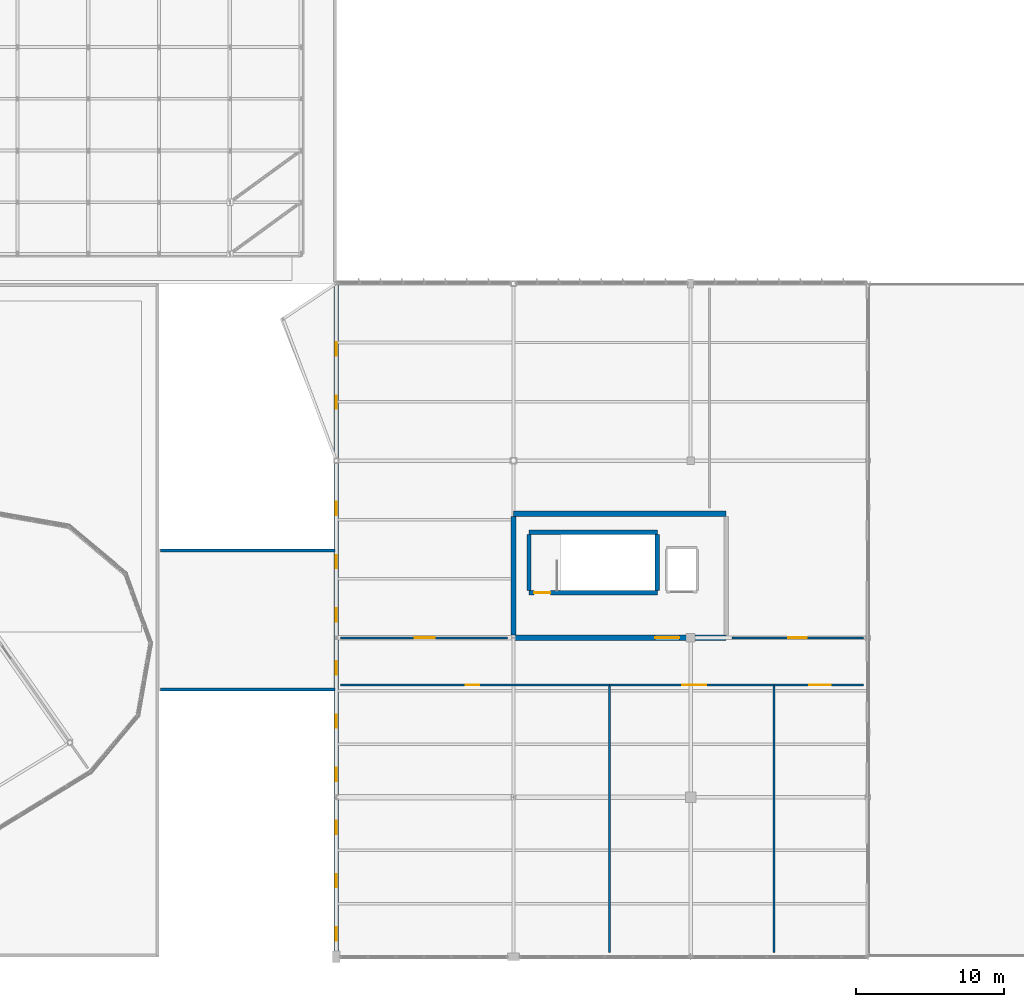
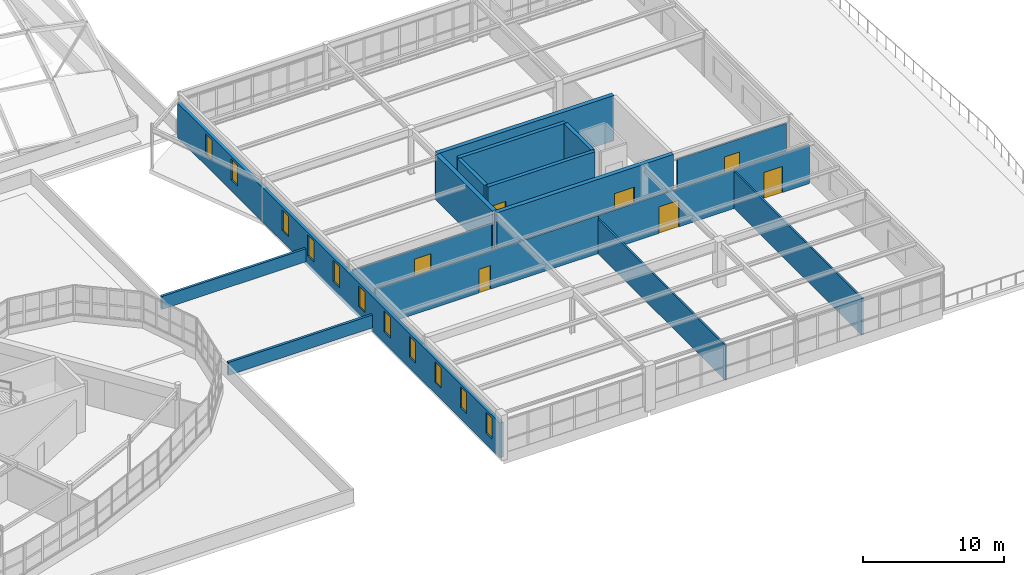
# One storey, part 109 of 128: 17 walls, 11 windows, 7 doors, 18 openings.
"""IFC4 building model written with IfcOpenShell, lengths in metres."""

from ifc_helpers import new_model, si_unit, direction, frame, frame_2d, origin, place, context, subcontext, project, spatial, rectangle, extrude, material, layer, layer_set, type_object, element, fill, save


model = new_model("IFC4")

# Units and contexts
model_context = context("Model", 3, precision=1e-05, world=origin(), true_north=direction((0.0, 1.0)))
body_context = subcontext(model_context, "Body", "Model", "MODEL_VIEW")
ifc_project = project(units=[si_unit("LENGTHUNIT", "METRE"), si_unit("AREAUNIT", "SQUARE_METRE"), si_unit("VOLUMEUNIT", "CUBIC_METRE"), si_unit("PLANEANGLEUNIT", "RADIAN"), si_unit("MASSUNIT", "GRAM", prefix="KILO")], contexts=[model_context])

# Site, building, storey
site_placement = place(None, origin())
site = spatial("IfcSite", under=ifc_project, at=site_placement, CompositionType="ELEMENT")
building_placement = place(site_placement, origin())
building = spatial("IfcBuilding", under=site, at=building_placement, Name="Tarnwether General Hospital", CompositionType="ELEMENT")
storey_placement = place(building_placement, frame((0.0, 0.0, 14.39990234375)))
storey = spatial("IfcBuildingStorey", under=building, at=storey_placement, Name="L03", CompositionType="ELEMENT", Elevation=14.39990234375)

# Wall, openings, windows
ifc_material_1 = material(Name="Precast concrete 40 MPa", Category="concrete")
ifc_layer_1 = layer(ifc_material_1, 0.280029296875)
ifc_layer_set_1 = layer_set([ifc_layer_1], Name="Precast concrete 40 MPa")
wall_type_1 = type_object("IfcWallType", Name="WL-EX280", PredefinedType="STANDARD", material=ifc_layer_set_1)
wall_1_placement = place(storey_placement, frame((144.0, 0.0, 0.0), z_axis=(0.0, 0.0, 1.0), x_axis=(0.0, 1.0, 0.0)))
wall_1 = element("IfcWall", 1, at=wall_1_placement, inside=storey, type_object=wall_type_1, Name="L03 Outpatient South West Wall EW-L03-0326", PredefinedType="STANDARD", context=body_context, shape_type="SweptSolid", body=[
    extrude(rectangle(XDim=45.60009765625, YDim=0.280029296875, at=frame_2d((22.800048828125, 0.0))), origin(), (0.0, 0.0, 1.0), 2.985107421875),
])
opening_1_placement = place(wall_1_placement, frame((1.10009765625, 0.0, 0.949951171875)))
opening_1 = element("IfcOpeningElement", 2, at=opening_1_placement, cuts=wall_1, Name="Opening W-21", PredefinedType="OPENING", context=body_context, shape_type="SweptSolid", body=[
    extrude(rectangle(XDim=0.89990234375, YDim=1.800048828125, at=frame_2d((0.449951171875, 0.89990234375))), frame((0.0, 0.14990234375, 0.0), z_axis=(0.0, -1.0, 0.0), x_axis=(1.0, 0.0, 0.0)), (0.0, 0.0, 1.0), 0.300048828125),
])
opening_2_placement = place(wall_1_placement, frame((4.699951171875, 0.0, 0.949951171875)))
opening_2 = element("IfcOpeningElement", 3, at=opening_2_placement, cuts=wall_1, Name="Opening W-21", PredefinedType="OPENING", context=body_context, shape_type="SweptSolid", body=[
    extrude(rectangle(XDim=0.89990234375, YDim=1.800048828125, at=frame_2d((0.449951171875, 0.89990234375))), frame((0.0, 0.14990234375, 0.0), z_axis=(0.0, -1.0, 0.0), x_axis=(1.0, 0.0, 0.0)), (0.0, 0.0, 1.0), 0.300048828125),
])
opening_3_placement = place(wall_1_placement, frame((8.300048828125, 0.0, 0.949951171875)))
opening_3 = element("IfcOpeningElement", 4, at=opening_3_placement, cuts=wall_1, Name="Opening W-21", PredefinedType="OPENING", context=body_context, shape_type="SweptSolid", body=[
    extrude(rectangle(XDim=0.89990234375, YDim=1.800048828125, at=frame_2d((0.449951171875, 0.89990234375))), frame((0.0, 0.14990234375, 0.0), z_axis=(0.0, -1.0, 0.0), x_axis=(1.0, 0.0, 0.0)), (0.0, 0.0, 1.0), 0.300048828125),
])
opening_4_placement = place(wall_1_placement, frame((11.89990234375, 0.0, 0.949951171875)))
opening_4 = element("IfcOpeningElement", 5, at=opening_4_placement, cuts=wall_1, Name="Opening W-21", PredefinedType="OPENING", context=body_context, shape_type="SweptSolid", body=[
    extrude(rectangle(XDim=0.89990234375, YDim=1.800048828125, at=frame_2d((0.449951171875, 0.89990234375))), frame((0.0, 0.14990234375, 0.0), z_axis=(0.0, -1.0, 0.0), x_axis=(1.0, 0.0, 0.0)), (0.0, 0.0, 1.0), 0.300048828125),
])
opening_5_placement = place(wall_1_placement, frame((15.5, 0.0, 0.949951171875)))
opening_5 = element("IfcOpeningElement", 6, at=opening_5_placement, cuts=wall_1, Name="Opening W-21", PredefinedType="OPENING", context=body_context, shape_type="SweptSolid", body=[
    extrude(rectangle(XDim=0.89990234375, YDim=1.800048828125, at=frame_2d((0.449951171875, 0.89990234375))), frame((0.0, 0.14990234375, 0.0), z_axis=(0.0, -1.0, 0.0), x_axis=(1.0, 0.0, 0.0)), (0.0, 0.0, 1.0), 0.300048828125),
])
opening_6_placement = place(wall_1_placement, frame((19.10009765625, 0.0, 0.949951171875)))
opening_6 = element("IfcOpeningElement", 7, at=opening_6_placement, cuts=wall_1, Name="Opening W-21", PredefinedType="OPENING", context=body_context, shape_type="SweptSolid", body=[
    extrude(rectangle(XDim=0.89990234375, YDim=1.800048828125, at=frame_2d((0.449951171875, 0.89990234375))), frame((0.0, 0.14990234375, 0.0), z_axis=(0.0, -1.0, 0.0), x_axis=(1.0, 0.0, 0.0)), (0.0, 0.0, 1.0), 0.300048828125),
])
opening_7_placement = place(wall_1_placement, frame((22.699951171875, 0.0, 0.949951171875)))
opening_7 = element("IfcOpeningElement", 8, at=opening_7_placement, cuts=wall_1, Name="Opening W-21", PredefinedType="OPENING", context=body_context, shape_type="SweptSolid", body=[
    extrude(rectangle(XDim=0.89990234375, YDim=1.800048828125, at=frame_2d((0.449951171875, 0.89990234375))), frame((0.0, 0.14990234375, 0.0), z_axis=(0.0, -1.0, 0.0), x_axis=(1.0, 0.0, 0.0)), (0.0, 0.0, 1.0), 0.300048828125),
])
opening_8_placement = place(wall_1_placement, frame((26.300048828125, 0.0, 0.949951171875)))
opening_8 = element("IfcOpeningElement", 9, at=opening_8_placement, cuts=wall_1, Name="Opening W-21", PredefinedType="OPENING", context=body_context, shape_type="SweptSolid", body=[
    extrude(rectangle(XDim=0.89990234375, YDim=1.800048828125, at=frame_2d((0.449951171875, 0.89990234375))), frame((0.0, 0.14990234375, 0.0), z_axis=(0.0, -1.0, 0.0), x_axis=(1.0, 0.0, 0.0)), (0.0, 0.0, 1.0), 0.300048828125),
])
opening_9_placement = place(wall_1_placement, frame((29.89990234375, 0.0, 0.949951171875)))
opening_9 = element("IfcOpeningElement", 10, at=opening_9_placement, cuts=wall_1, Name="Opening W-21", PredefinedType="OPENING", context=body_context, shape_type="SweptSolid", body=[
    extrude(rectangle(XDim=0.89990234375, YDim=1.800048828125, at=frame_2d((0.449951171875, 0.89990234375))), frame((0.0, 0.14990234375, 0.0), z_axis=(0.0, -1.0, 0.0), x_axis=(1.0, 0.0, 0.0)), (0.0, 0.0, 1.0), 0.300048828125),
])
opening_10_placement = place(wall_1_placement, frame((37.10009765625, 0.0, 0.949951171875)))
opening_10 = element("IfcOpeningElement", 11, at=opening_10_placement, cuts=wall_1, Name="Opening W-21", PredefinedType="OPENING", context=body_context, shape_type="SweptSolid", body=[
    extrude(rectangle(XDim=0.89990234375, YDim=1.800048828125, at=frame_2d((0.449951171875, 0.89990234375))), frame((0.0, 0.14990234375, 0.0), z_axis=(0.0, -1.0, 0.0), x_axis=(1.0, 0.0, 0.0)), (0.0, 0.0, 1.0), 0.300048828125),
])
opening_11_placement = place(wall_1_placement, frame((40.699951171875, 0.0, 0.949951171875)))
opening_11 = element("IfcOpeningElement", 12, at=opening_11_placement, cuts=wall_1, Name="Opening W-21", PredefinedType="OPENING", context=body_context, shape_type="SweptSolid", body=[
    extrude(rectangle(XDim=0.89990234375, YDim=1.800048828125, at=frame_2d((0.449951171875, 0.89990234375))), frame((0.0, 0.14990234375, 0.0), z_axis=(0.0, -1.0, 0.0), x_axis=(1.0, 0.0, 0.0)), (0.0, 0.0, 1.0), 0.300048828125),
])
ifc_material_2 = material(Name="Double glazed low-E glass", Category="glass")
window_type = type_object("IfcWindowType", Name="WN-21", PartitioningType="SINGLE_PANEL", PredefinedType="WINDOW", material=ifc_material_2)
window_1_placement = place(opening_1_placement, origin())
window_1 = element("IfcWindow", 13, at=window_1_placement, inside=storey, type_object=window_type, Name="Window WN-L03-0147", OverallHeight=1.800048828125, OverallWidth=0.89990234375, PartitioningType="SINGLE_PANEL", PredefinedType="WINDOW", context=body_context, shape_type="SweptSolid", body=[
    extrude(rectangle(XDim=0.89990234375, YDim=1.800048828125, at=frame_2d((0.449951171875, 0.89990234375))), frame((0.0, 0.030029296875, 0.0), z_axis=(0.0, -1.0, 0.0), x_axis=(1.0, 0.0, 0.0)), (0.0, 0.0, 1.0), 0.06005859375),
])
fill(opening_1, window_1)
window_2_placement = place(opening_2_placement, origin())
window_2 = element("IfcWindow", 14, at=window_2_placement, inside=storey, type_object=window_type, Name="Window WN-L03-0148", OverallHeight=1.800048828125, OverallWidth=0.89990234375, PartitioningType="SINGLE_PANEL", PredefinedType="WINDOW", context=body_context, shape_type="SweptSolid", body=[
    extrude(rectangle(XDim=0.89990234375, YDim=1.800048828125, at=frame_2d((0.449951171875, 0.89990234375))), frame((0.0, 0.030029296875, 0.0), z_axis=(0.0, -1.0, 0.0), x_axis=(1.0, 0.0, 0.0)), (0.0, 0.0, 1.0), 0.06005859375),
])
fill(opening_2, window_2)
window_3_placement = place(opening_3_placement, origin())
window_3 = element("IfcWindow", 15, at=window_3_placement, inside=storey, type_object=window_type, Name="Window WN-L03-0149", OverallHeight=1.800048828125, OverallWidth=0.89990234375, PartitioningType="SINGLE_PANEL", PredefinedType="WINDOW", context=body_context, shape_type="SweptSolid", body=[
    extrude(rectangle(XDim=0.89990234375, YDim=1.800048828125, at=frame_2d((0.449951171875, 0.89990234375))), frame((0.0, 0.030029296875, 0.0), z_axis=(0.0, -1.0, 0.0), x_axis=(1.0, 0.0, 0.0)), (0.0, 0.0, 1.0), 0.06005859375),
])
fill(opening_3, window_3)
window_4_placement = place(opening_4_placement, origin())
window_4 = element("IfcWindow", 16, at=window_4_placement, inside=storey, type_object=window_type, Name="Window WN-L03-0150", OverallHeight=1.800048828125, OverallWidth=0.89990234375, PartitioningType="SINGLE_PANEL", PredefinedType="WINDOW", context=body_context, shape_type="SweptSolid", body=[
    extrude(rectangle(XDim=0.89990234375, YDim=1.800048828125, at=frame_2d((0.449951171875, 0.89990234375))), frame((0.0, 0.030029296875, 0.0), z_axis=(0.0, -1.0, 0.0), x_axis=(1.0, 0.0, 0.0)), (0.0, 0.0, 1.0), 0.06005859375),
])
fill(opening_4, window_4)
window_5_placement = place(opening_5_placement, origin())
window_5 = element("IfcWindow", 17, at=window_5_placement, inside=storey, type_object=window_type, Name="Window WN-L03-0151", OverallHeight=1.800048828125, OverallWidth=0.89990234375, PartitioningType="SINGLE_PANEL", PredefinedType="WINDOW", context=body_context, shape_type="SweptSolid", body=[
    extrude(rectangle(XDim=0.89990234375, YDim=1.800048828125, at=frame_2d((0.449951171875, 0.89990234375))), frame((0.0, 0.030029296875, 0.0), z_axis=(0.0, -1.0, 0.0), x_axis=(1.0, 0.0, 0.0)), (0.0, 0.0, 1.0), 0.06005859375),
])
fill(opening_5, window_5)
window_6_placement = place(opening_6_placement, origin())
window_6 = element("IfcWindow", 18, at=window_6_placement, inside=storey, type_object=window_type, Name="Window WN-L03-0152", OverallHeight=1.800048828125, OverallWidth=0.89990234375, PartitioningType="SINGLE_PANEL", PredefinedType="WINDOW", context=body_context, shape_type="SweptSolid", body=[
    extrude(rectangle(XDim=0.89990234375, YDim=1.800048828125, at=frame_2d((0.449951171875, 0.89990234375))), frame((0.0, 0.030029296875, 0.0), z_axis=(0.0, -1.0, 0.0), x_axis=(1.0, 0.0, 0.0)), (0.0, 0.0, 1.0), 0.06005859375),
])
fill(opening_6, window_6)
window_7_placement = place(opening_7_placement, origin())
window_7 = element("IfcWindow", 19, at=window_7_placement, inside=storey, type_object=window_type, Name="Window WN-L03-0153", OverallHeight=1.800048828125, OverallWidth=0.89990234375, PartitioningType="SINGLE_PANEL", PredefinedType="WINDOW", context=body_context, shape_type="SweptSolid", body=[
    extrude(rectangle(XDim=0.89990234375, YDim=1.800048828125, at=frame_2d((0.449951171875, 0.89990234375))), frame((0.0, 0.030029296875, 0.0), z_axis=(0.0, -1.0, 0.0), x_axis=(1.0, 0.0, 0.0)), (0.0, 0.0, 1.0), 0.06005859375),
])
fill(opening_7, window_7)
window_8_placement = place(opening_8_placement, origin())
window_8 = element("IfcWindow", 20, at=window_8_placement, inside=storey, type_object=window_type, Name="Window WN-L03-0154", OverallHeight=1.800048828125, OverallWidth=0.89990234375, PartitioningType="SINGLE_PANEL", PredefinedType="WINDOW", context=body_context, shape_type="SweptSolid", body=[
    extrude(rectangle(XDim=0.89990234375, YDim=1.800048828125, at=frame_2d((0.449951171875, 0.89990234375))), frame((0.0, 0.030029296875, 0.0), z_axis=(0.0, -1.0, 0.0), x_axis=(1.0, 0.0, 0.0)), (0.0, 0.0, 1.0), 0.06005859375),
])
fill(opening_8, window_8)
window_9_placement = place(opening_9_placement, origin())
window_9 = element("IfcWindow", 21, at=window_9_placement, inside=storey, type_object=window_type, Name="Window WN-L03-0155", OverallHeight=1.800048828125, OverallWidth=0.89990234375, PartitioningType="SINGLE_PANEL", PredefinedType="WINDOW", context=body_context, shape_type="SweptSolid", body=[
    extrude(rectangle(XDim=0.89990234375, YDim=1.800048828125, at=frame_2d((0.449951171875, 0.89990234375))), frame((0.0, 0.030029296875, 0.0), z_axis=(0.0, -1.0, 0.0), x_axis=(1.0, 0.0, 0.0)), (0.0, 0.0, 1.0), 0.06005859375),
])
fill(opening_9, window_9)
window_10_placement = place(opening_10_placement, origin())
window_10 = element("IfcWindow", 22, at=window_10_placement, inside=storey, type_object=window_type, Name="Window WN-L03-0156", OverallHeight=1.800048828125, OverallWidth=0.89990234375, PartitioningType="SINGLE_PANEL", PredefinedType="WINDOW", context=body_context, shape_type="SweptSolid", body=[
    extrude(rectangle(XDim=0.89990234375, YDim=1.800048828125, at=frame_2d((0.449951171875, 0.89990234375))), frame((0.0, 0.030029296875, 0.0), z_axis=(0.0, -1.0, 0.0), x_axis=(1.0, 0.0, 0.0)), (0.0, 0.0, 1.0), 0.06005859375),
])
fill(opening_10, window_10)
window_11_placement = place(opening_11_placement, origin())
window_11 = element("IfcWindow", 23, at=window_11_placement, inside=storey, type_object=window_type, Name="Window WN-L03-0157", OverallHeight=1.800048828125, OverallWidth=0.89990234375, PartitioningType="SINGLE_PANEL", PredefinedType="WINDOW", context=body_context, shape_type="SweptSolid", body=[
    extrude(rectangle(XDim=0.89990234375, YDim=1.800048828125, at=frame_2d((0.449951171875, 0.89990234375))), frame((0.0, 0.030029296875, 0.0), z_axis=(0.0, -1.0, 0.0), x_axis=(1.0, 0.0, 0.0)), (0.0, 0.0, 1.0), 0.06005859375),
])
fill(opening_11, window_11)

# Walls
ifc_material_3 = material(Name="Precast concrete 40 MPa", Category="concrete")
ifc_layer_2 = layer(ifc_material_3, 0.199951171875)
ifc_layer_set_2 = layer_set([ifc_layer_2], Name="Precast concrete 40 MPa")
wall_type_2 = type_object("IfcWallType", Name="WL-PR200", PredefinedType="PARAPET", material=ifc_layer_set_2)
for number, where, z_axis, x_axis, name in (
    (24, (143.89990234375, 18.10009765625, 0.31005859375), (0.0, 0.0, 1.0), (-1.0, 0.0, 0.0), "Flat Roof Parapet EW-L03-0359"),
    (25, (132.10009765625, 27.5, 0.31005859375), (0.0, 0.0, 1.0), (1.0, 0.0, 0.0), "Flat Roof Parapet EW-L03-0360"),
):
    element("IfcWall", number, at=place(storey_placement, frame(where, z_axis=z_axis, x_axis=x_axis)), inside=storey, type_object=wall_type_2, Name=name, PredefinedType="PARAPET", context=body_context, shape_type="SweptSolid", body=[
        extrude(rectangle(XDim=11.7998046875, YDim=0.199951171875, at=frame_2d((5.89990234375, 0.0))), origin(), (0.0, 0.0, 1.0), 1.1201171875),
    ])

# Wall, opening, door
ifc_material_4 = material(Name="Gypsum plasterboard")
ifc_layer_3 = layer(ifc_material_4, 0.139892578125)
ifc_layer_set_3 = layer_set([ifc_layer_3], Name="Gypsum plasterboard")
wall_type_3 = type_object("IfcWallType", Name="WL-PT140", PredefinedType="PARTITIONING", material=ifc_layer_set_3)
wall_2_placement = place(storey_placement, frame((144.300048828125, 18.39990234375, 0.0), z_axis=(0.0, 0.0, 1.0), x_axis=(1.0, 0.0, 0.0)))
wall_2 = element("IfcWall", 26, at=wall_2_placement, inside=storey, type_object=wall_type_3, Name="Interior Partition PT-L03-0354", PredefinedType="PARTITIONING", context=body_context, shape_type="SweptSolid", body=[
    extrude(rectangle(XDim=18.2060546875, YDim=0.139892578125, at=frame_2d((9.10302734375, 0.0))), origin(), (0.0, 0.0, 1.0), 3.273193359375),
])
opening_12_placement = place(wall_2_placement, frame((8.452880859375, 0.0, 0.0)))
opening_12 = element("IfcOpeningElement", 27, at=opening_12_placement, cuts=wall_2, Name="Opening D-12", PredefinedType="OPENING", context=body_context, shape_type="SweptSolid", body=[
    extrude(rectangle(XDim=0.919921875, YDim=2.0400390625, at=frame_2d((0.4599609375, 1.02001953125))), frame((0.0, 0.080078125, 0.0), z_axis=(0.0, -1.0, 0.0), x_axis=(1.0, 0.0, 0.0)), (0.0, 0.0, 1.0), 0.159912109375),
])
ifc_material_5 = material(Name="Anodised aluminium", Category="aluminium")
door_type_1 = type_object("IfcDoorType", Name="DR-IN12", OperationType="NOTDEFINED", PredefinedType="DOOR", material=ifc_material_5)
door_1_placement = place(opening_12_placement, origin())
door_1 = element("IfcDoor", 28, at=door_1_placement, inside=storey, type_object=door_type_1, Name="Interior Door DR-L03-0196", OperationType="SINGLE_SWING_RIGHT", OverallHeight=2.0400390625, OverallWidth=0.919921875, PredefinedType="DOOR", context=body_context, shape_type="SweptSolid", body=[
    extrude(rectangle(XDim=0.919921875, YDim=2.0400390625, at=frame_2d((0.4599609375, 1.02001953125))), frame((0.0, 0.02490234375, 0.0), z_axis=(0.0, -1.0, 0.0), x_axis=(1.0, 0.0, 0.0)), (0.0, 0.0, 1.0), 0.050048828125),
])
fill(opening_12, door_1)

# Wall
wall_3_placement = place(storey_placement, frame((162.506103515625, 0.300048828125, 0.0), z_axis=(0.0, 0.0, 1.0), x_axis=(0.0, 1.0, 0.0)))
element("IfcWall", 29, at=wall_3_placement, inside=storey, type_object=wall_type_3, Name="Interior Partition PT-L03-0355", PredefinedType="PARTITIONING", context=body_context, shape_type="SweptSolid", body=[
    extrude(rectangle(XDim=18.099853515625, YDim=0.139892578125, at=frame_2d((9.0498046875, 0.0))), origin(), (0.0, 0.0, 1.0), 2.985107421875),
])

# Wall, opening, door
wall_4_placement = place(storey_placement, frame((162.506103515625, 18.39990234375, 0.0), z_axis=(0.0, 0.0, 1.0), x_axis=(1.0, 0.0, 0.0)))
wall_4 = element("IfcWall", 30, at=wall_4_placement, inside=storey, type_object=wall_type_3, Name="Interior Partition PT-L03-0356", PredefinedType="PARTITIONING", context=body_context, shape_type="SweptSolid", body=[
    extrude(rectangle(XDim=11.125, YDim=0.139892578125, at=frame_2d((5.5625, 0.0))), origin(), (0.0, 0.0, 1.0), 3.283203125),
])
opening_13_placement = place(wall_4_placement, frame((4.9130859375, 0.0, 0.0)))
opening_13 = element("IfcOpeningElement", 31, at=opening_13_placement, cuts=wall_4, Name="Opening SD-02", PredefinedType="OPENING", context=body_context, shape_type="SweptSolid", body=[
    extrude(rectangle(XDim=1.6201171875, YDim=2.300048828125, at=frame_2d((0.81005859375, 1.14990234375))), frame((0.0, 0.080078125, 0.0), z_axis=(0.0, -1.0, 0.0), x_axis=(1.0, 0.0, 0.0)), (0.0, 0.0, 1.0), 0.159912109375),
])
ifc_material_6 = material(Name="Anodised aluminium", Category="aluminium")
door_type_2 = type_object("IfcDoorType", Name="DR-OR02", OperationType="NOTDEFINED", PredefinedType="DOOR", material=ifc_material_6)
door_2_placement = place(opening_13_placement, origin())
door_2 = element("IfcDoor", 32, at=door_2_placement, inside=storey, type_object=door_type_2, Name="Interior Door DR-L03-0197", OperationType="SLIDING_TO_RIGHT", OverallHeight=2.300048828125, OverallWidth=1.6201171875, PredefinedType="DOOR", context=body_context, shape_type="SweptSolid", body=[
    extrude(rectangle(XDim=1.6201171875, YDim=2.300048828125, at=frame_2d((0.81005859375, 1.14990234375))), frame((0.0, 0.02490234375, 0.0), z_axis=(0.0, -1.0, 0.0), x_axis=(1.0, 0.0, 0.0)), (0.0, 0.0, 1.0), 0.050048828125),
])
fill(opening_13, door_2)

# Wall
wall_5_placement = place(storey_placement, frame((173.631103515625, 0.300048828125, 0.0), z_axis=(0.0, 0.0, 1.0), x_axis=(0.0, 1.0, 0.0)))
element("IfcWall", 33, at=wall_5_placement, inside=storey, type_object=wall_type_3, Name="Interior Partition PT-L03-0357", PredefinedType="PARTITIONING", context=body_context, shape_type="SweptSolid", body=[
    extrude(rectangle(XDim=18.099853515625, YDim=0.139892578125, at=frame_2d((9.0498046875, 0.0))), origin(), (0.0, 0.0, 1.0), 3.193115234375),
])

# Wall, opening, door
wall_6_placement = place(storey_placement, frame((173.631103515625, 18.39990234375, 0.0), z_axis=(0.0, 0.0, 1.0), x_axis=(1.0, 0.0, 0.0)))
wall_6 = element("IfcWall", 34, at=wall_6_placement, inside=storey, type_object=wall_type_3, Name="Interior Partition PT-L03-0358", PredefinedType="PARTITIONING", context=body_context, shape_type="SweptSolid", body=[
    extrude(rectangle(XDim=6.06884765625, YDim=0.139892578125, at=frame_2d((3.034423828125, 0.0))), origin(), (0.0, 0.0, 1.0), 3.35205078125),
])
opening_14_placement = place(wall_6_placement, frame((2.384033203125, 0.0, 0.0)))
opening_14 = element("IfcOpeningElement", 35, at=opening_14_placement, cuts=wall_6, Name="Opening SD-03", PredefinedType="OPENING", context=body_context, shape_type="SweptSolid", body=[
    extrude(rectangle(XDim=1.47998046875, YDim=2.260009765625, at=frame_2d((0.739990234375, 1.1298828125))), frame((0.0, 0.080078125, 0.0), z_axis=(0.0, -1.0, 0.0), x_axis=(1.0, 0.0, 0.0)), (0.0, 0.0, 1.0), 0.159912109375),
])
ifc_material_7 = material(Name="Anodised aluminium", Category="aluminium")
door_type_3 = type_object("IfcDoorType", Name="DR-OR03", OperationType="NOTDEFINED", PredefinedType="DOOR", material=ifc_material_7)
door_3_placement = place(opening_14_placement, origin())
door_3 = element("IfcDoor", 36, at=door_3_placement, inside=storey, type_object=door_type_3, Name="Interior Door DR-L03-0198", OperationType="SLIDING_TO_LEFT", OverallHeight=2.260009765625, OverallWidth=1.47998046875, PredefinedType="DOOR", context=body_context, shape_type="SweptSolid", body=[
    extrude(rectangle(XDim=1.47998046875, YDim=2.260009765625, at=frame_2d((0.739990234375, 1.1298828125))), frame((0.0, 0.02490234375, 0.0), z_axis=(0.0, -1.0, 0.0), x_axis=(1.0, 0.0, 0.0)), (0.0, 0.0, 1.0), 0.050048828125),
])
fill(opening_14, door_3)

wall_7_placement = place(storey_placement, frame((144.300048828125, 21.60009765625, 0.0), z_axis=(0.0, 0.0, 1.0), x_axis=(1.0, 0.0, 0.0)))
wall_7 = element("IfcWall", 37, at=wall_7_placement, inside=storey, type_object=wall_type_3, Name="Interior Partition PT-L03-0359", PredefinedType="PARTITIONING", context=body_context, shape_type="SweptSolid", body=[
    extrude(rectangle(XDim=11.300048828125, YDim=0.139892578125, at=frame_2d((5.64990234375, 0.0))), origin(), (0.0, 0.0, 1.0), 2.985107421875),
])
opening_15_placement = place(wall_7_placement, frame((5.0, 0.0, 0.0)))
opening_15 = element("IfcOpeningElement", 38, at=opening_15_placement, cuts=wall_7, Name="Opening D-02", PredefinedType="OPENING", context=body_context, shape_type="SweptSolid", body=[
    extrude(rectangle(XDim=1.360107421875, YDim=2.179931640625, at=frame_2d((0.68017578125, 1.08984375))), frame((0.0, 0.080078125, 0.0), z_axis=(0.0, -1.0, 0.0), x_axis=(1.0, 0.0, 0.0)), (0.0, 0.0, 1.0), 0.159912109375),
])
ifc_material_8 = material(Name="Anodised aluminium", Category="aluminium")
door_type_4 = type_object("IfcDoorType", Name="DR-IN02", OperationType="NOTDEFINED", PredefinedType="DOOR", material=ifc_material_8)
door_4_placement = place(opening_15_placement, origin())
door_4 = element("IfcDoor", 39, at=door_4_placement, inside=storey, type_object=door_type_4, Name="Interior Door DR-L03-0199", OperationType="SINGLE_SWING_LEFT", OverallHeight=2.179931640625, OverallWidth=1.360107421875, PredefinedType="DOOR", context=body_context, shape_type="SweptSolid", body=[
    extrude(rectangle(XDim=1.360107421875, YDim=2.179931640625, at=frame_2d((0.68017578125, 1.08984375))), frame((0.0, 0.02490234375, 0.0), z_axis=(0.0, -1.0, 0.0), x_axis=(1.0, 0.0, 0.0)), (0.0, 0.0, 1.0), 0.050048828125),
])
fill(opening_15, door_4)

wall_8_placement = place(storey_placement, frame((170.800048828125, 21.60009765625, 0.0), z_axis=(0.0, 0.0, 1.0), x_axis=(1.0, 0.0, 0.0)))
wall_8 = element("IfcWall", 40, at=wall_8_placement, inside=storey, type_object=wall_type_3, Name="Interior Partition PT-L03-0361", PredefinedType="PARTITIONING", context=body_context, shape_type="SweptSolid", body=[
    extrude(rectangle(XDim=8.89990234375, YDim=0.139892578125, at=frame_2d((4.449951171875, 0.0))), origin(), (0.0, 0.0, 1.0), 3.273193359375),
])
opening_16_placement = place(wall_8_placement, frame((3.800048828125, 0.0, 0.0)))
opening_16 = element("IfcOpeningElement", 41, at=opening_16_placement, cuts=wall_8, Name="Opening D-04", PredefinedType="OPENING", context=body_context, shape_type="SweptSolid", body=[
    extrude(rectangle(XDim=1.260009765625, YDim=2.139892578125, at=frame_2d((0.6298828125, 1.06982421875))), frame((0.0, 0.080078125, 0.0), z_axis=(0.0, -1.0, 0.0), x_axis=(1.0, 0.0, 0.0)), (0.0, 0.0, 1.0), 0.159912109375),
])
ifc_material_9 = material(Name="Anodised aluminium", Category="aluminium")
door_type_5 = type_object("IfcDoorType", Name="DR-IN04", OperationType="NOTDEFINED", PredefinedType="DOOR", material=ifc_material_9)
door_5_placement = place(opening_16_placement, origin())
door_5 = element("IfcDoor", 42, at=door_5_placement, inside=storey, type_object=door_type_5, Name="Interior Door DR-L03-0200", OperationType="SINGLE_SWING_RIGHT", OverallHeight=2.139892578125, OverallWidth=1.260009765625, PredefinedType="DOOR", context=body_context, shape_type="SweptSolid", body=[
    extrude(rectangle(XDim=1.260009765625, YDim=2.139892578125, at=frame_2d((0.6298828125, 1.06982421875))), frame((0.0, 0.02490234375, 0.0), z_axis=(0.0, -1.0, 0.0), x_axis=(1.0, 0.0, 0.0)), (0.0, 0.0, 1.0), 0.050048828125),
])
fill(opening_16, door_5)

ifc_material_10 = material(Name="Concrete 50 MPa", Category="concrete")
ifc_layer_4 = layer(ifc_material_10, 0.300048828125)
ifc_layer_set_4 = layer_set([ifc_layer_4], Name="Concrete 50 MPa")
wall_type_4 = type_object("IfcWallType", Name="WL-SW300", PredefinedType="SHEAR", material=ifc_layer_set_4)
wall_9_placement = place(storey_placement, frame((157.050048828125, 24.64990234375, 0.0), z_axis=(0.0, 0.0, 1.0), x_axis=(1.0, 0.0, 0.0)))
wall_9 = element("IfcWall", 43, at=wall_9_placement, inside=storey, type_object=wall_type_4, Name="Stairwell Shear Wall STW-ST-05-L03-B", PredefinedType="SHEAR", context=body_context, shape_type="SweptSolid", body=[
    extrude(rectangle(XDim=8.699951171875, YDim=0.300048828125, at=frame_2d((4.35009765625, 0.0))), origin(), (0.0, 0.0, 1.0), 3.900146484375),
])
opening_17_placement = place(wall_9_placement, frame((0.35009765625, 0.0, 0.0)))
opening_17 = element("IfcOpeningElement", 44, at=opening_17_placement, cuts=wall_9, Name="Opening FD-06", PredefinedType="OPENING", context=body_context, shape_type="SweptSolid", body=[
    extrude(rectangle(XDim=1.10009765625, YDim=2.14990234375, at=frame_2d((0.550048828125, 1.074951171875))), frame((0.0, 0.16015625, 0.0), z_axis=(0.0, -1.0, 0.0), x_axis=(1.0, 0.0, 0.0)), (0.0, 0.0, 1.0), 0.320068359375),
])
ifc_material_11 = material(Name="Anodised aluminium", Category="aluminium")
door_type_6 = type_object("IfcDoorType", Name="DR-FD06", OperationType="NOTDEFINED", PredefinedType="DOOR", material=ifc_material_11)
door_6_placement = place(opening_17_placement, origin())
door_6 = element("IfcDoor", 45, at=door_6_placement, inside=storey, type_object=door_type_6, Name="Stairwell ST-05 Safe-Path Fire Door L03", OperationType="SINGLE_SWING_LEFT", OverallHeight=2.14990234375, OverallWidth=1.10009765625, PredefinedType="DOOR", context=body_context, shape_type="SweptSolid", body=[
    extrude(rectangle(XDim=1.10009765625, YDim=2.14990234375, at=frame_2d((0.550048828125, 1.074951171875))), frame((0.0, 0.02490234375, 0.0), z_axis=(0.0, -1.0, 0.0), x_axis=(1.0, 0.0, 0.0)), (0.0, 0.0, 1.0), 0.050048828125),
])
fill(opening_17, door_6)

# Walls
wall_10_placement = place(storey_placement, frame((165.75, 28.75, 0.0), z_axis=(0.0, 0.0, 1.0), x_axis=(-1.0, 0.0, 0.0)))
element("IfcWall", 46, at=wall_10_placement, inside=storey, type_object=wall_type_4, Name="Stairwell Shear Wall STW-ST-05-L03-N", PredefinedType="SHEAR", context=body_context, shape_type="SweptSolid", body=[
    extrude(rectangle(XDim=8.699951171875, YDim=0.300048828125, at=frame_2d((4.35009765625, 0.0))), origin(), (0.0, 0.0, 1.0), 3.900146484375),
])
for number, where, z_axis, x_axis, name in (
    (47, (157.050048828125, 24.820068359375, 0.0), (0.0, 0.0, 1.0), (0.0, 1.0, 0.0), "Stairwell Shear Wall STW-ST-05-L03-L"),
    (48, (165.75, 24.820068359375, 0.0), (0.0, 0.0, 1.0), (0.0, 1.0, 0.0), "Stairwell Shear Wall STW-ST-05-L03-F"),
):
    element("IfcWall", number, at=place(storey_placement, frame(where, z_axis=z_axis, x_axis=x_axis)), inside=storey, type_object=wall_type_4, Name=name, PredefinedType="SHEAR", context=body_context, shape_type="SweptSolid", body=[
        extrude(rectangle(XDim=3.760009765625, YDim=0.300048828125, at=frame_2d((1.8798828125, 0.0))), origin(), (0.0, 0.0, 1.0), 3.900146484375),
    ])
ifc_material_12 = material(Name="Concrete 50 MPa", Category="concrete")
ifc_layer_5 = layer(ifc_material_12, 0.35009765625)
ifc_layer_set_5 = layer_set([ifc_layer_5], Name="Concrete 50 MPa")
wall_type_5 = type_object("IfcWallType", Name="WL-SW350", PredefinedType="SHEAR", material=ifc_layer_set_5)
wall_11_placement = place(storey_placement, frame((156.0, 30.0, 0.0), z_axis=(0.0, 0.0, 1.0), x_axis=(1.0, 0.0, 0.0)))
element("IfcWall", 49, at=wall_11_placement, inside=storey, type_object=wall_type_5, Name="Core Shear Wall CWALL-K5-L03-N", PredefinedType="SHEAR", context=body_context, shape_type="SweptSolid", body=[
    extrude(rectangle(XDim=14.39990234375, YDim=0.35009765625, at=frame_2d((7.199951171875, 0.0))), origin(), (0.0, 0.0, 1.0), 3.900146484375),
])

# Wall, opening, door
wall_12_placement = place(storey_placement, frame((170.39990234375, 21.60009765625, 0.0), z_axis=(0.0, 0.0, 1.0), x_axis=(-1.0, 0.0, 0.0)))
wall_12 = element("IfcWall", 50, at=wall_12_placement, inside=storey, type_object=wall_type_5, Name="Core Shear Wall CWALL-K5-L03-S", PredefinedType="SHEAR", context=body_context, shape_type="SweptSolid", body=[
    extrude(rectangle(XDim=14.39990234375, YDim=0.35009765625, at=frame_2d((7.199951171875, 0.0))), origin(), (0.0, 0.0, 1.0), 3.900146484375),
])
opening_18_placement = place(wall_12_placement, frame((3.172119140625, 0.0, 0.0)))
opening_18 = element("IfcOpeningElement", 51, at=opening_18_placement, cuts=wall_12, Name="Opening FD-01", PredefinedType="OPENING", context=body_context, shape_type="SweptSolid", body=[
    extrude(rectangle(XDim=1.639892578125, YDim=2.199951171875, at=frame_2d((0.81982421875, 1.10009765625))), frame((0.0, 0.18505859375, 0.0), z_axis=(0.0, -1.0, 0.0), x_axis=(1.0, 0.0, 0.0)), (0.0, 0.0, 1.0), 0.3701171875),
])
ifc_material_13 = material(Name="Anodised aluminium", Category="aluminium")
door_type_7 = type_object("IfcDoorType", Name="DR-FD01", OperationType="NOTDEFINED", PredefinedType="DOOR", material=ifc_material_13)
door_7_placement = place(opening_18_placement, origin())
door_7 = element("IfcDoor", 52, at=door_7_placement, inside=storey, type_object=door_type_7, Name="Core K5 Lobby Fire Door L03", OperationType="DOUBLE_DOOR_SINGLE_SWING", OverallHeight=2.199951171875, OverallWidth=1.639892578125, PredefinedType="DOOR", context=body_context, shape_type="SweptSolid", body=[
    extrude(rectangle(XDim=1.639892578125, YDim=2.199951171875, at=frame_2d((0.81982421875, 1.10009765625))), frame((0.0, 0.02490234375, 0.0), z_axis=(0.0, -1.0, 0.0), x_axis=(1.0, 0.0, 0.0)), (0.0, 0.0, 1.0), 0.050048828125),
])
fill(opening_18, door_7)

# Wall
wall_13_placement = place(storey_placement, frame((156.0, 21.800048828125, 0.0), z_axis=(0.0, 0.0, 1.0), x_axis=(0.0, 1.0, 0.0)))
element("IfcWall", 53, at=wall_13_placement, inside=storey, type_object=wall_type_5, Name="Core Shear Wall CWALL-K5-L03-W", PredefinedType="SHEAR", context=body_context, shape_type="SweptSolid", body=[
    extrude(rectangle(XDim=8.0, YDim=0.35009765625, at=frame_2d((4.0, 0.0))), origin(), (0.0, 0.0, 1.0), 3.900146484375),
])

save(model, "model.ifc")
